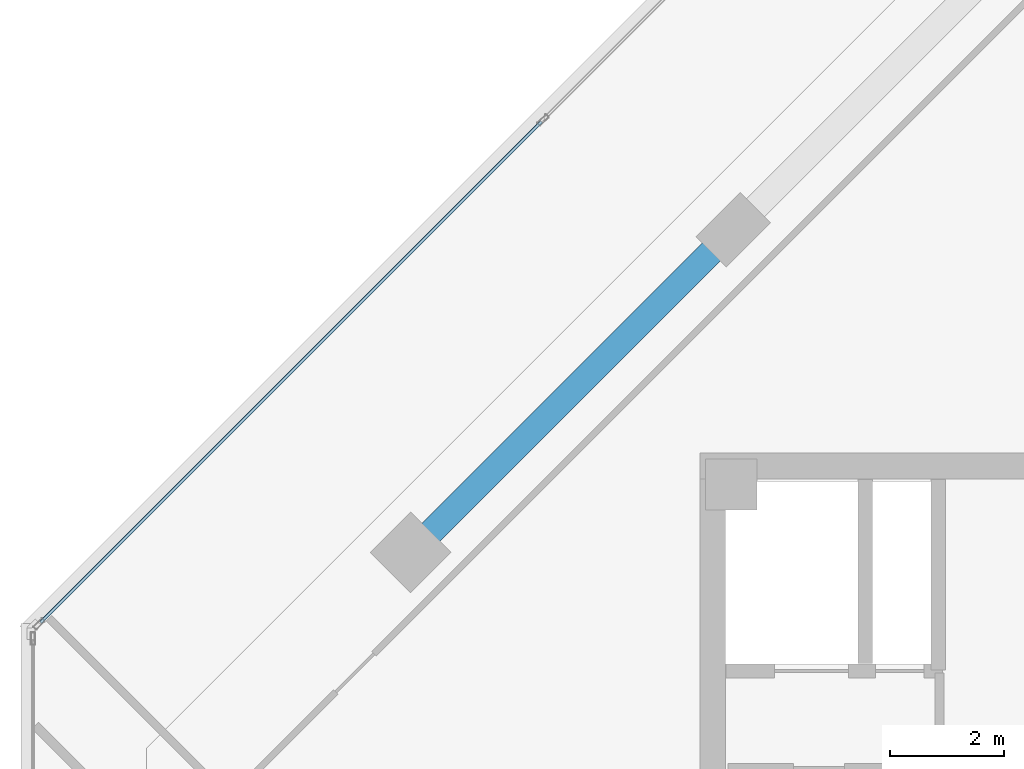
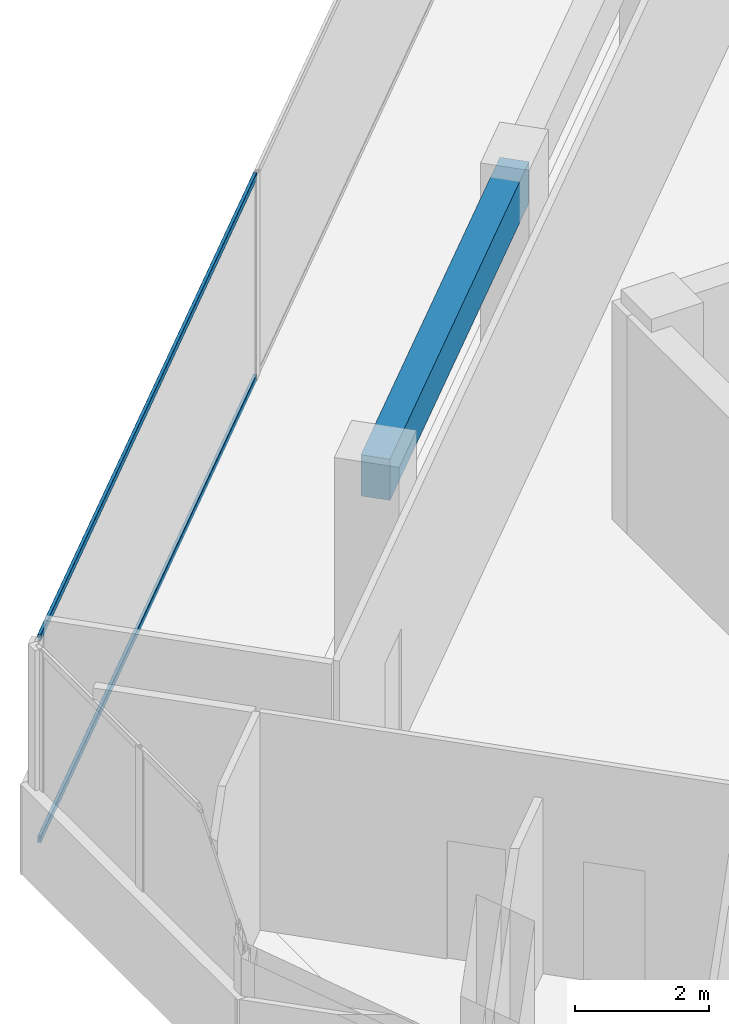
# One storey, part 5 of 18: 2 members, 1 beam, 1 element without a shape of its own.
"""IFC4 building model written with IfcOpenShell, lengths in metres."""

from ifc_helpers import new_model, si_unit, direction, frame, origin, origin_2d, place, context, subcontext, project, spatial, rectangle, hollow_rectangle, extrude, source, transform, mapped, material, material_profile, profile_set, type_object, element, aggregate, save


model = new_model("IFC4")

# Units and contexts
model_context = context("Model", 3, precision=1e-05, world=origin(), true_north=direction((0.0, 1.0)))
body_context = subcontext(model_context, "Body", "Model", "MODEL_VIEW")
ifc_project = project(units=[si_unit("LENGTHUNIT", "METRE"), si_unit("AREAUNIT", "SQUARE_METRE"), si_unit("VOLUMEUNIT", "CUBIC_METRE"), si_unit("PLANEANGLEUNIT", "RADIAN"), si_unit("MASSUNIT", "GRAM", prefix="KILO")], contexts=[model_context])

# Site, building, storey
site_placement = place(None, origin())
site = spatial("IfcSite", under=ifc_project, at=site_placement, CompositionType="ELEMENT")
building_placement = place(site_placement, origin())
building = spatial("IfcBuilding", under=site, at=building_placement, Name="Torre Montelarca", CompositionType="ELEMENT")
storey_placement = place(building_placement, frame((0.0, 0.0, 245.800048828125)))
storey = spatial("IfcBuildingStorey", under=building, at=storey_placement, Name="L55", CompositionType="ELEMENT", Elevation=245.800048828125)

# Beam
ifc_material_1 = material(Name="Concrete C55/67", Category="concrete")
ifc_material_profile_1 = material_profile(ifc_material_1, rectangle(XDim=0.449951171875, YDim=0.75, at=origin_2d()), Name="RCB450X750", Category="concrete")
ifc_profile_set_1 = profile_set([ifc_material_profile_1], Name="Concrete C55/67")
beam_type = type_object("IfcBeamType", Name="BM-SP-RC750-EXT", PredefinedType="SPANDREL", material=ifc_profile_set_1)
shared_shape_1 = source(origin(), body_context, "Body", "SweptSolid", [
    extrude(rectangle(XDim=0.449951171875, YDim=0.75, at=origin_2d()), origin(), (0.0, 0.0, 1.0), 8.0),
])
beam_placement = place(storey_placement, frame((3.928466796875, 38.2578125, 3.5849609375), z_axis=(0.707091522249, 0.707122039795, 0.0), x_axis=(-0.707122039795, 0.707091522249, 0.0)))
element("IfcBeam", 1, at=beam_placement, inside=storey, type_object=beam_type, Name="L55 Grid Girder Y 24.0-32.0 at X=4.7", PredefinedType="SPANDREL", context=body_context, shape_type="MappedRepresentation", body=[
    mapped(shared_shape_1, transform((0.0, 0.0, 0.0), scale=1.0)),
])

# Curtain wall, members
ifc_material_2 = material(Name="Insulated low-E laminated glass", Category="glass")
curtain_wall_type = type_object("IfcCurtainWallType", Name="CW-SYS-Z3", PredefinedType="USERDEFINED", material=ifc_material_2)
curtain_wall_placement = place(storey_placement, origin())
curtain_wall = element("IfcCurtainWall", 2, at=curtain_wall_placement, inside=storey, type_object=curtain_wall_type, Name="L55 Curtain Wall Run CW-T3-L55-E10-B1", ObjectType="UNITISED GLAZING", PredefinedType="USERDEFINED")
ifc_material_3 = material(Name="Anodised aluminium AA 6063-T6", Category="aluminium")
ifc_material_profile_2 = material_profile(ifc_material_3, hollow_rectangle(XDim=0.054931640625, YDim=0.1201171875, WallThickness=0.00341796875, InnerFilletRadius=0.00341796875, OuterFilletRadius=0.007080078125, at=origin_2d()), Name="ALU55X120X3.5", Category="aluminium")
ifc_profile_set_2 = profile_set([ifc_material_profile_2], Name="Anodised aluminium AA 6063-T6")
member_type = type_object("IfcMemberType", Name="CWT-ALU120", PredefinedType="USERDEFINED", material=ifc_profile_set_2)
shared_shape_2 = source(origin(), body_context, "Body", "SweptSolid", [
    extrude(hollow_rectangle(XDim=0.054931640625, YDim=0.1201171875, WallThickness=0.00341796875, InnerFilletRadius=0.00341796875, OuterFilletRadius=0.007080078125, at=origin_2d()), origin(), (0.0, 0.0, 1.0), 12.421630859375),
])
member_1_placement = place(storey_placement, frame((6.22119140625, 45.8115234375, 0.02734375), z_axis=(-0.707106781187, -0.707106781187, 0.0), x_axis=(0.707106781187, -0.707106781187, 0.0)))
member_1 = element("IfcMember", 3, at=member_1_placement, type_object=member_type, Name="CW transom 2.1", ObjectType="TRANSOM", PredefinedType="USERDEFINED", context=body_context, shape_type="MappedRepresentation", body=[
    mapped(shared_shape_2, transform((0.0, 0.0, 0.0), scale=1.0)),
])
member_2_placement = place(storey_placement, frame((6.22119140625, 45.8115234375, 3.6923828125), z_axis=(-0.707106781187, -0.707106781187, 0.0), x_axis=(0.707106781187, -0.707106781187, 0.0)))
member_2 = element("IfcMember", 4, at=member_2_placement, type_object=member_type, Name="CW transom 2.2", ObjectType="TRANSOM", PredefinedType="USERDEFINED", context=body_context, shape_type="MappedRepresentation", body=[
    mapped(shared_shape_2, transform((0.0, 0.0, 0.0), scale=1.0)),
])
aggregate(curtain_wall, [member_1, member_2])

save(model, "model.ifc")
